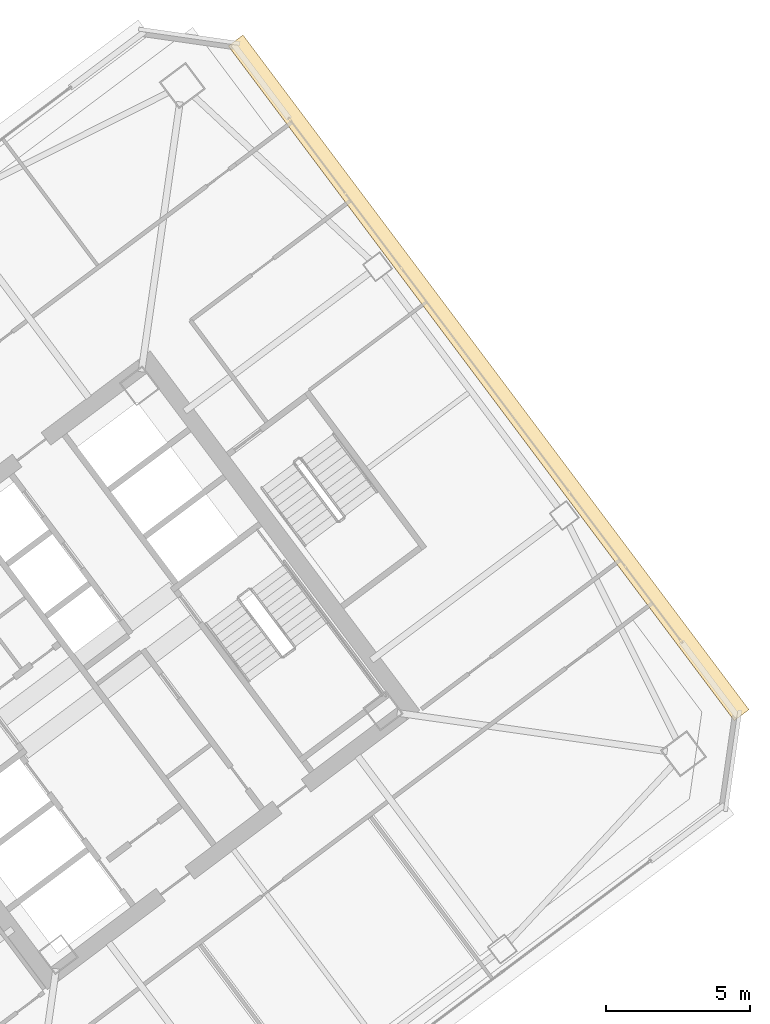
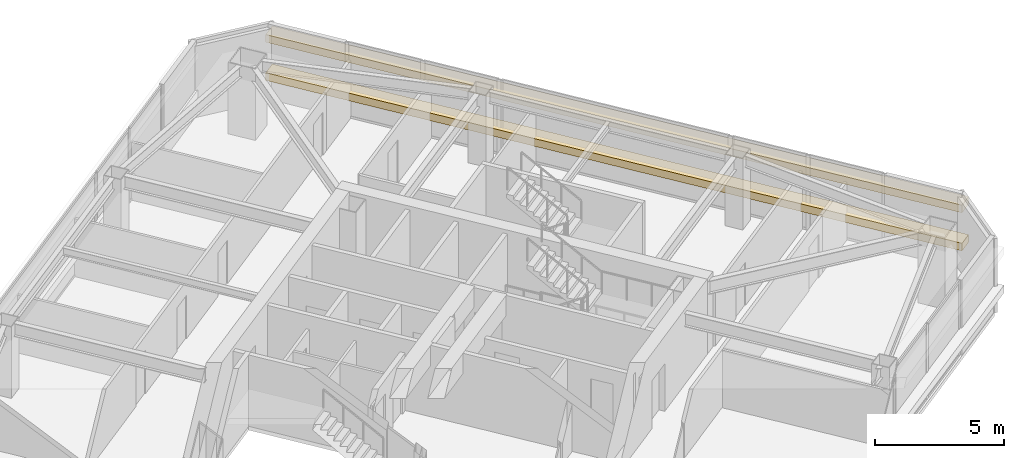
# One storey, part 43 of 43: 2 coverings.
"""IFC4 building model written with IfcOpenShell, lengths in metres."""

from ifc_helpers import new_model, si_unit, direction, frame, origin, origin_2d, place, context, subcontext, project, spatial, rectangle, extrude, material, layer, layer_set, type_object, element, save


model = new_model("IFC4")

# Units and contexts
model_context = context("Model", 3, precision=1e-05, world=origin(), true_north=direction((0.0, 1.0)))
body_context = subcontext(model_context, "Body", "Model", "MODEL_VIEW")
ifc_project = project(units=[si_unit("LENGTHUNIT", "METRE"), si_unit("AREAUNIT", "SQUARE_METRE"), si_unit("VOLUMEUNIT", "CUBIC_METRE"), si_unit("PLANEANGLEUNIT", "RADIAN"), si_unit("MASSUNIT", "GRAM", prefix="KILO")], contexts=[model_context])

# Site, building, storey
site_placement = place(None, origin())
site = spatial("IfcSite", under=ifc_project, at=site_placement, CompositionType="ELEMENT")
building_placement = place(site_placement, origin())
building = spatial("IfcBuilding", under=site, at=building_placement, Name="Tashvorn Skyway Center", CompositionType="ELEMENT")
storey_placement = place(building_placement, frame((0.0, 0.0, 160.550048828125)))
storey = spatial("IfcBuildingStorey", under=building, at=storey_placement, Name="L43", CompositionType="ELEMENT", Elevation=160.550048828125)

# Coverings
ifc_material = material(Name="Perforated ceramic-coated bronze aluminium solar screen", Category="aluminium")
ifc_layer = layer(ifc_material, 0.85009765625)
ifc_layer_set = layer_set([ifc_layer], Name="Perforated ceramic-coated bronze aluminium solar screen")
covering_type = type_object("IfcCoveringType", Name="COV-SOLAR-BAND", PredefinedType="CLADDING", material=ifc_layer_set)
for number, where, z_axis, x_axis, name in (
    (1, (127.535888671875, 42.152099609375, 0.919921875), (0.0, 0.0, 1.0), (0.600000004945, -0.799999996291, 0.0), "L43 Perforated Ceramic-Metal Solar Screen Louvre Band East 1"),
    (2, (127.535888671875, 42.152099609375, 2.7197265625), (0.0, 0.0, 1.0), (0.600000004945, -0.799999996291, 0.0), "L43 Perforated Ceramic-Metal Solar Screen Louvre Band East 2"),
):
    element("IfcCovering", number, at=place(storey_placement, frame(where, z_axis=z_axis, x_axis=x_axis)), inside=storey, type_object=covering_type, Name=name, PredefinedType="CLADDING", context=body_context, shape_type="SweptSolid", body=[
        extrude(rectangle(XDim=29.280029296875, YDim=0.639892578125, at=origin_2d()), origin(), (0.0, 0.0, 1.0), 0.360107421875),
    ])

save(model, "model.ifc")
